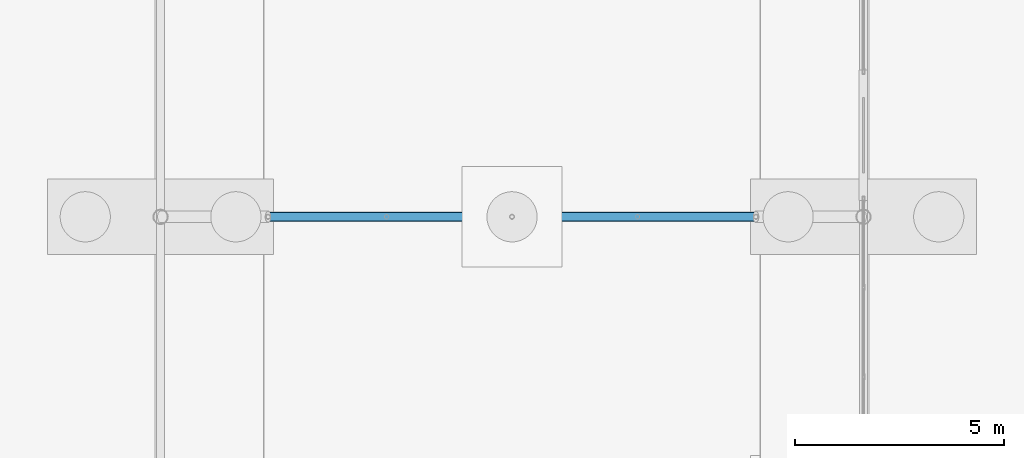
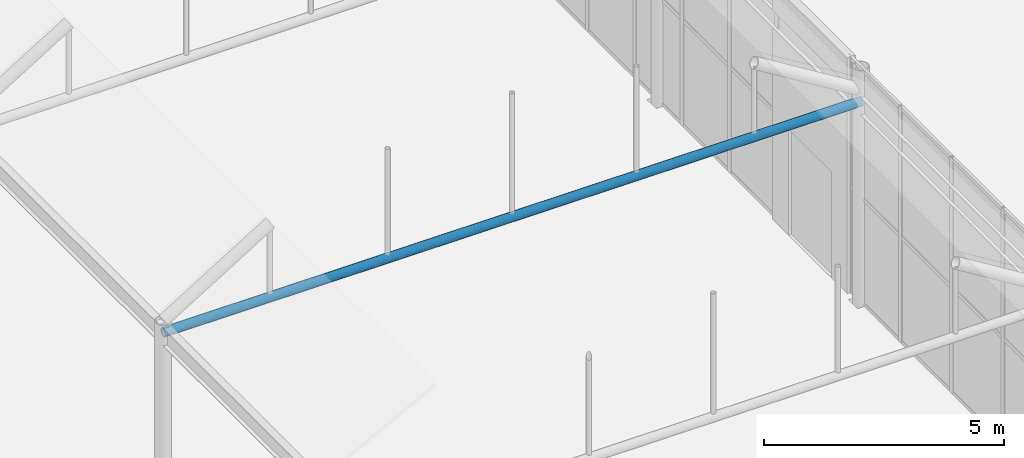
# One storey, part 105 of 212: 1 beam.
"""IFC4 building model written with IfcOpenShell, lengths in metres."""

import ifcopenshell
import ifcopenshell.guid

model = None  # the IFC model being written
_history = None  # IfcOwnerHistory: only IFC2X3 demands one
_inside = {}  # id of a spatial element -> (the spatial element, [elements in it])
_under = {}  # id of a project, library or spatial element -> (it, [spatial elements below it])
_declared = {}  # id of a project -> (the project, [libraries it declares])
_typed = {}  # id of a type object -> (the type object, [elements of that type])
_made_of = {}  # id of a material, layer set ... -> (it, [elements and type objects made of it])


def new_model(schema):
    """Start an empty IFC model of exactly this schema.

    Asked for "IFC4X3", IfcOpenShell would pick the latest addendum, in which some entities
    have other attributes; the version numbers below select the first issue.
    IFC2X3 requires an IfcOwnerHistory on every rooted entity: one is made here for all.
    """
    global model, _history
    if schema == "IFC4X3":
        model = ifcopenshell.file(schema_version=(4, 3, 0, 0))
    else:
        model = ifcopenshell.file(schema=schema)
    _inside.clear()
    _under.clear()
    _declared.clear()
    _typed.clear()
    _made_of.clear()
    _history = None
    if model.schema == "IFC2X3":
        org = make("IfcOrganization", Name="unknown")
        user = make(
            "IfcPersonAndOrganization",
            ThePerson=make("IfcPerson", FamilyName="unknown"),
            TheOrganization=org,
        )
        app = make(
            "IfcApplication",
            ApplicationDeveloper=org,
            Version="unknown",
            ApplicationFullName="unknown",
            ApplicationIdentifier="unknown",
        )
        _history = make(
            "IfcOwnerHistory",
            OwningUser=user,
            OwningApplication=app,
            ChangeAction="ADDED",
            CreationDate=0,
        )
    return model


def make(cls, **values):
    """One entity of the class cls with the attributes given. An attribute that is None is left unset."""
    return model.create_entity(
        cls, **{name: value for name, value in values.items() if value is not None}
    )


def rooted(cls, **values):
    """An entity with a GlobalId (a new one), such as an element, a storey or a relation."""
    return make(cls, GlobalId=ifcopenshell.guid.new(), OwnerHistory=_history, **values)


def si_unit(unit_type, name, prefix=None):
    """IfcSIUnit, for example si_unit("LENGTHUNIT", "METRE", prefix="MILLI")."""
    return make("IfcSIUnit", UnitType=unit_type, Prefix=prefix, Name=name)


def assignment(units):
    """IfcUnitAssignment: the units of a project."""
    return None if units is None else make("IfcUnitAssignment", Units=units)


def point(xyz):
    """IfcCartesianPoint."""
    return None if xyz is None else make("IfcCartesianPoint", Coordinates=xyz)


def direction(xyz):
    """IfcDirection."""
    return None if xyz is None else make("IfcDirection", DirectionRatios=xyz)


def frame(location, z_axis=None, x_axis=None):
    """IfcAxis2Placement3D, a coordinate frame: its origin and axes. An axis left out is left unset."""
    return make(
        "IfcAxis2Placement3D",
        Location=point(location),
        Axis=direction(z_axis),
        RefDirection=direction(x_axis),
    )


def frame_2d(location, x_axis=None):
    """IfcAxis2Placement2D, a coordinate frame in the plane: its origin and x axis."""
    return make(
        "IfcAxis2Placement2D", Location=point(location), RefDirection=direction(x_axis)
    )


def origin():
    """The frame at (0, 0, 0) with its axes left unset."""
    return frame((0.0, 0.0, 0.0))


def origin_2d():
    """The frame at (0, 0) in the plane with its x axis left unset."""
    return frame_2d((0.0, 0.0))


def place(relative_to, where):
    """IfcLocalPlacement: puts the frame where relative to a parent placement (None: the world)."""
    return make(
        "IfcLocalPlacement", PlacementRelTo=relative_to, RelativePlacement=where
    )


def context(
    kind, dimensions, precision=None, world=None, true_north=None, identifier=None
):
    """IfcGeometricRepresentationContext, for example the 3D "Model" context."""
    return make(
        "IfcGeometricRepresentationContext",
        ContextIdentifier=identifier,
        ContextType=kind,
        CoordinateSpaceDimension=dimensions,
        Precision=precision,
        WorldCoordinateSystem=world,
        TrueNorth=true_north,
    )


def subcontext(parent, identifier, kind, view, scale=None):
    """IfcGeometricRepresentationSubContext, for example "Body" below "Model"."""
    return make(
        "IfcGeometricRepresentationSubContext",
        ContextIdentifier=identifier,
        ContextType=kind,
        ParentContext=parent,
        TargetScale=scale,
        TargetView=view,
    )


def project(units=None, contexts=None):
    """IfcProject with its units and contexts."""
    return rooted(
        "IfcProject",
        Name="project",
        RepresentationContexts=contexts,
        UnitsInContext=assignment(units),
    )


def spatial(cls, under=None, at=None, **own):
    """A site, building, storey or space (cls), placed at a placement, below another one or the project."""
    s = rooted(cls, ObjectPlacement=at, **own)
    if under is not None:
        _under.setdefault(under.id(), (under, []))[1].append(s)
    return s


def profile(cls, at=None, kind="AREA", **sizes):
    """A parametric profile (cls). Its sizes go by their IFC names, for example OverallWidth=200.0."""
    return make(cls, ProfileType=kind, Position=at, **sizes)


def hollow_circle(**sizes):
    """IfcCircleHollowProfileDef."""
    return profile("IfcCircleHollowProfileDef", **sizes)


def extrude(swept, where, along, depth):
    """IfcExtrudedAreaSolid: the profile swept, set in the frame where, extruded along a direction by depth."""
    return make(
        "IfcExtrudedAreaSolid",
        SweptArea=swept,
        Position=where,
        ExtrudedDirection=direction(along),
        Depth=depth,
    )


def shape(context_of_items, identifier, shape_type, items):
    """IfcShapeRepresentation: the items that make up one representation, for example the "Body"."""
    return make(
        "IfcShapeRepresentation",
        ContextOfItems=context_of_items,
        RepresentationIdentifier=identifier,
        RepresentationType=shape_type,
        Items=items,
    )


def material(Name=None, Category=None):
    """IfcMaterial."""
    return make("IfcMaterial", Name=Name, Category=Category)


def material_profile(
    of_material, cross_section, Name=None, Category=None, Priority=None
):
    """IfcMaterialProfile: a cross section and its material."""
    return make(
        "IfcMaterialProfile",
        Name=Name,
        Material=of_material,
        Profile=cross_section,
        Priority=Priority,
        Category=Category,
    )


def profile_set(profiles, Name=None, composite=None):
    """IfcMaterialProfileSet."""
    return make(
        "IfcMaterialProfileSet",
        Name=Name,
        MaterialProfiles=profiles,
        CompositeProfile=composite,
    )


def made_of(thing, what):
    """Note that an element or type object is made of a material, layer set ...; save() writes the relation."""
    if what is not None:
        _made_of.setdefault(what.id(), (what, []))[1].append(thing)
    return thing


def type_object(cls, material=None, **own):
    """A type object (cls), such as IfcWallType, which elements share."""
    return made_of(rooted(cls, **own), material)


def element(
    cls,
    number,
    at=None,
    inside=None,
    cuts=None,
    type_object=None,
    material=None,
    context=None,
    identifier="Body",
    shape_type=None,
    held_by="IfcProductDefinitionShape",
    body=None,
    shapes=None,
    **own,
):
    """One element of the class cls, such as IfcWall. Its Tag is "e" and its number.

    at: its placement. inside: the storey or other place that contains it. cuts: it is an
    opening in that element (IfcRelVoidsElement). A single representation is given by context,
    identifier, shape_type and body (its items); several are given by shapes. held_by: the class
    of the entity that holds the representations. save() writes the other relations.
    """
    e = rooted(cls, Tag="e%d" % number, ObjectPlacement=at, **own)
    if body is not None:
        shapes = [shape(context, identifier, shape_type, body)]
    if shapes is not None:
        e.Representation = make(held_by, Representations=shapes)
    if inside is not None:
        _inside.setdefault(inside.id(), (inside, []))[1].append(e)
    if cuts is not None:
        rooted(
            "IfcRelVoidsElement", RelatingBuildingElement=cuts, RelatedOpeningElement=e
        )
    if type_object is not None:
        _typed.setdefault(type_object.id(), (type_object, []))[1].append(e)
    return made_of(e, material)


def aggregate(whole, parts):
    """IfcRelAggregates: a whole, such as a stair, and the parts it consists of."""
    return rooted("IfcRelAggregates", RelatingObject=whole, RelatedObjects=parts)


def save(model, path):
    """Write the relations noted so far, then the file.

    IfcRelAggregates (storeys below a building ...), IfcRelContainedInSpatialStructure (elements
    in a storey), IfcRelDefinesByType, IfcRelAssociatesMaterial and IfcRelDeclares: one each for
    every whole, place, type object, material and project.
    """
    for whole, parts in _under.values():
        aggregate(whole, parts)
    for where, things in _inside.values():
        rooted(
            "IfcRelContainedInSpatialStructure",
            RelatedElements=things,
            RelatingStructure=where,
        )
    for kind, things in _typed.values():
        rooted("IfcRelDefinesByType", RelatedObjects=things, RelatingType=kind)
    for what, things in _made_of.values():
        rooted("IfcRelAssociatesMaterial", RelatedObjects=things, RelatingMaterial=what)
    for by, libraries in _declared.values():
        rooted("IfcRelDeclares", RelatingContext=by, RelatedDefinitions=libraries)
    model.write(path)


model = new_model("IFC4")

# Units and contexts
model_context = context("Model", 3, precision=1e-05, world=origin(), true_north=direction((0.0, 1.0)))
body_context = subcontext(model_context, "Body", "Model", "MODEL_VIEW")
ifc_project = project(units=[si_unit("LENGTHUNIT", "METRE"), si_unit("AREAUNIT", "SQUARE_METRE"), si_unit("VOLUMEUNIT", "CUBIC_METRE"), si_unit("PLANEANGLEUNIT", "RADIAN"), si_unit("MASSUNIT", "GRAM", prefix="KILO")], contexts=[model_context])

# Site, building, storey
site_placement = place(None, origin())
site = spatial("IfcSite", under=ifc_project, at=site_placement, CompositionType="ELEMENT")
building_placement = place(site_placement, origin())
building = spatial("IfcBuilding", under=site, at=building_placement, Name="Catenary Quay Ferry Terminal", CompositionType="ELEMENT")
storey_placement = place(building_placement, origin())
storey = spatial("IfcBuildingStorey", under=building, at=storey_placement, Name="L00", CompositionType="ELEMENT", Elevation=0.0)

# Beam
ifc_material = material(Name="Steel S355", Category="steel")
ifc_material_profile = material_profile(ifc_material, hollow_circle(Radius=0.109619140625, WallThickness=0.010009765625, at=origin_2d()), Name="CHS 219.1x10")
ifc_profile_set = profile_set([ifc_material_profile], Name="Steel S355")
beam_type = type_object("IfcBeamType", Name="TB2 CHS 219.1x10", PredefinedType="BEAM", material=ifc_profile_set)
beam_placement = place(storey_placement, frame((8.39990234375, 117.60009765625, 5.10009765625), z_axis=(1.0, 0.0, 0.0), x_axis=(0.0, 1.0, 0.0)))
element("IfcBeam", 1, at=beam_placement, inside=storey, type_object=beam_type, Name="tie beam FC-07", PredefinedType="BEAM", context=body_context, shape_type="SweptSolid", body=[
    extrude(hollow_circle(Radius=0.109619140625, WallThickness=0.010009765625, at=origin_2d()), origin(), (0.0, 0.0, 1.0), 16.800048828125),
])

save(model, "model.ifc")
